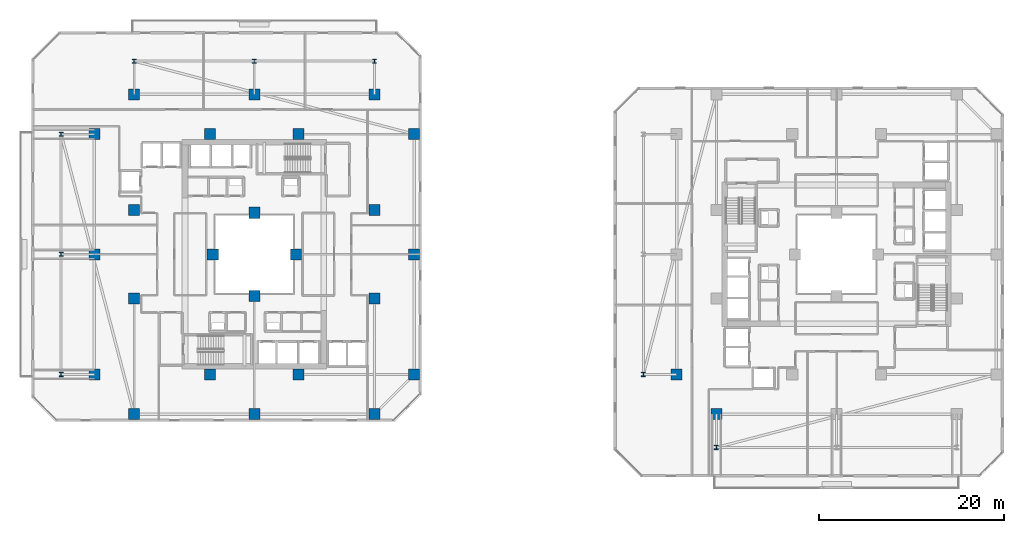
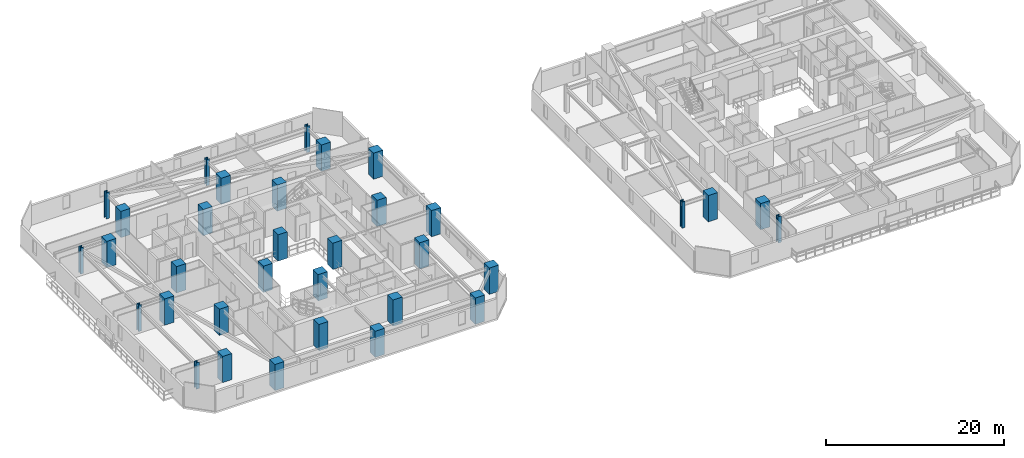
# One storey, part 1 of 33: 34 columns.
"""IFC4 building model written with IfcOpenShell, lengths in metres."""

from ifc_helpers import new_model, si_unit, direction, frame, origin, origin_2d, place, context, subcontext, project, spatial, rectangle, i_section, extrude, material, material_profile, profile_set, type_object, element, save


model = new_model("IFC4")

# Units and contexts
model_context = context("Model", 3, precision=1e-05, world=origin(), true_north=direction((0.0, 1.0)))
body_context = subcontext(model_context, "Body", "Model", "MODEL_VIEW")
ifc_project = project(units=[si_unit("LENGTHUNIT", "METRE"), si_unit("AREAUNIT", "SQUARE_METRE"), si_unit("VOLUMEUNIT", "CUBIC_METRE"), si_unit("PLANEANGLEUNIT", "RADIAN"), si_unit("MASSUNIT", "GRAM", prefix="KILO")], contexts=[model_context])

# Site, building, storey
site_placement = place(None, origin())
site = spatial("IfcSite", under=ifc_project, at=site_placement, CompositionType="ELEMENT")
building_placement = place(site_placement, origin())
building = spatial("IfcBuilding", under=site, at=building_placement, Name="Thornwick Lancets Civic Towers", CompositionType="ELEMENT")
storey_placement = place(building_placement, frame((0.0, 0.0, 112.5)))
storey = spatial("IfcBuildingStorey", under=building, at=storey_placement, Name="L29", CompositionType="ELEMENT", Elevation=112.5)

# Columns
ifc_material_1 = material(Name="Concrete C60/75", Category="concrete")
ifc_material_profile_1 = material_profile(ifc_material_1, rectangle(XDim=1.199951171875, YDim=1.199951171875, at=origin_2d()), Name="RC 1200x1200")
ifc_profile_set_1 = profile_set([ifc_material_profile_1], Name="Concrete C60/75")
column_type_1 = type_object("IfcColumnType", Name="COL_RC_1200", PredefinedType="COLUMN", material=ifc_profile_set_1)
for number, where, z_axis, x_axis, name in (
    (1, (12.5, 9.699951171875, 0.0), (0.0, 0.0, 1.0), (1.0, 0.0, 0.0), "L29 Spine Mega-Column A01"),
    (2, (25.5, 9.699951171875, 0.0), (0.0, 0.0, 1.0), (1.0, 0.0, 0.0), "L29 Spine Mega-Column A02"),
    (3, (38.5, 9.699951171875, 0.0), (0.0, 0.0, 1.0), (1.0, 0.0, 0.0), "L29 Spine Mega-Column A03"),
    (4, (42.800048828125, 14.0, 0.0), (0.0, 0.0, 1.0), (1.0, 0.0, 0.0), "L29 Spine Mega-Column A04"),
    (5, (42.800048828125, 27.0, 0.0), (0.0, 0.0, 1.0), (1.0, 0.0, 0.0), "L29 Spine Mega-Column A05"),
    (6, (42.800048828125, 40.0, 0.0), (0.0, 0.0, 1.0), (1.0, 0.0, 0.0), "L29 Spine Mega-Column A06"),
    (7, (12.5, 44.300048828125, 0.0), (0.0, 0.0, 1.0), (1.0, 0.0, 0.0), "L29 Spine Mega-Column A07"),
    (8, (25.5, 44.300048828125, 0.0), (0.0, 0.0, 1.0), (1.0, 0.0, 0.0), "L29 Spine Mega-Column A08"),
    (9, (38.5, 44.300048828125, 0.0), (0.0, 0.0, 1.0), (1.0, 0.0, 0.0), "L29 Spine Mega-Column A09"),
    (10, (8.199951171875, 14.0, 0.0), (0.0, 0.0, 1.0), (1.0, 0.0, 0.0), "L29 Spine Mega-Column A10"),
    (11, (8.199951171875, 27.0, 0.0), (0.0, 0.0, 1.0), (1.0, 0.0, 0.0), "L29 Spine Mega-Column A11"),
    (12, (8.199951171875, 40.0, 0.0), (0.0, 0.0, 1.0), (1.0, 0.0, 0.0), "L29 Spine Mega-Column A12"),
    (13, (12.5, 22.199951171875, 0.0), (0.0, 0.0, 1.0), (1.0, 0.0, 0.0), "L29 Spine Mega-Column A13"),
    (14, (38.5, 22.199951171875, 0.0), (0.0, 0.0, 1.0), (1.0, 0.0, 0.0), "L29 Spine Mega-Column A14"),
    (15, (12.5, 31.800048828125, 0.0), (0.0, 0.0, 1.0), (1.0, 0.0, 0.0), "L29 Spine Mega-Column A15"),
    (16, (38.5, 31.800048828125, 0.0), (0.0, 0.0, 1.0), (1.0, 0.0, 0.0), "L29 Spine Mega-Column A16"),
    (17, (20.699951171875, 14.0, 0.0), (0.0, 0.0, 1.0), (1.0, 0.0, 0.0), "L29 Spine Mega-Column A17"),
    (18, (30.300048828125, 14.0, 0.0), (0.0, 0.0, 1.0), (1.0, 0.0, 0.0), "L29 Spine Mega-Column A18"),
    (19, (20.699951171875, 40.0, 0.0), (0.0, 0.0, 1.0), (1.0, 0.0, 0.0), "L29 Spine Mega-Column A19"),
    (20, (30.300048828125, 40.0, 0.0), (0.0, 0.0, 1.0), (1.0, 0.0, 0.0), "L29 Spine Mega-Column A20"),
    (21, (25.5, 22.5, 0.0), (0.0, 0.0, 1.0), (1.0, 0.0, 0.0), "L29 Spine Mega-Column A21"),
    (22, (25.5, 31.5, 0.0), (0.0, 0.0, 1.0), (1.0, 0.0, 0.0), "L29 Spine Mega-Column A22"),
    (23, (21.0, 27.0, 0.0), (0.0, 0.0, 1.0), (1.0, 0.0, 0.0), "L29 Spine Mega-Column A23"),
    (24, (30.0, 27.0, 0.0), (0.0, 0.0, 1.0), (1.0, 0.0, 0.0), "L29 Spine Mega-Column A24"),
    (25, (71.199951171875, 14.0, 0.0), (0.0, 0.0, 1.0), (1.0, 0.0, 0.0), "L29 Spine Mega-Column B07"),
    (26, (75.5, 9.699951171875, 0.0), (0.0, 0.0, 1.0), (1.0, 0.0, 0.0), "L29 Spine Mega-Column B12"),
):
    element("IfcColumn", number, at=place(storey_placement, frame(where, z_axis=z_axis, x_axis=x_axis)), inside=storey, type_object=column_type_1, Name=name, PredefinedType="COLUMN", context=body_context, shape_type="SweptSolid", body=[
        extrude(rectangle(XDim=1.199951171875, YDim=1.199951171875, at=origin_2d()), origin(), (0.0, 0.0, 1.0), 3.60009765625),
    ])
ifc_material_2 = material(Name="Steel S460M", Category="steel")
ifc_material_profile_2 = material_profile(ifc_material_2, i_section(OverallWidth=0.41845703125, OverallDepth=0.45556640625, WebThickness=0.0419921875, FlangeThickness=0.0673828125, FilletRadius=0.01513671875, at=origin_2d()), Name="UKC 356x406x551")
ifc_profile_set_2 = profile_set([ifc_material_profile_2], Name="Steel S460M")
column_type_2 = type_object("IfcColumnType", Name="COL_UKC_551", PredefinedType="COLUMN", material=ifc_profile_set_2)
for number, where, z_axis, x_axis, name in (
    (27, (12.5, 47.89990234375, 0.0), (0.0, 0.0, 1.0), (1.0, 0.0, 0.0), "L29 Block Perimeter Column A07"),
    (28, (25.5, 47.89990234375, 0.0), (0.0, 0.0, 1.0), (1.0, 0.0, 0.0), "L29 Block Perimeter Column A08"),
    (29, (38.5, 47.89990234375, 0.0), (0.0, 0.0, 1.0), (1.0, 0.0, 0.0), "L29 Block Perimeter Column A09"),
    (30, (4.60009765625, 14.0, 0.0), (0.0, 0.0, 1.0), (1.0, 0.0, 0.0), "L29 Block Perimeter Column A10"),
    (31, (4.60009765625, 27.0, 0.0), (0.0, 0.0, 1.0), (1.0, 0.0, 0.0), "L29 Block Perimeter Column A11"),
    (32, (4.60009765625, 40.0, 0.0), (0.0, 0.0, 1.0), (1.0, 0.0, 0.0), "L29 Block Perimeter Column A12"),
    (33, (67.60009765625, 14.0, 0.0), (0.0, 0.0, 1.0), (1.0, 0.0, 0.0), "L29 Block Perimeter Column B07"),
    (34, (75.5, 6.10009765625, 0.0), (0.0, 0.0, 1.0), (1.0, 0.0, 0.0), "L29 Block Perimeter Column B12"),
):
    element("IfcColumn", number, at=place(storey_placement, frame(where, z_axis=z_axis, x_axis=x_axis)), inside=storey, type_object=column_type_2, Name=name, PredefinedType="COLUMN", context=body_context, shape_type="SweptSolid", body=[
        extrude(i_section(OverallWidth=0.41845703125, OverallDepth=0.45556640625, WebThickness=0.0419921875, FlangeThickness=0.0673828125, FilletRadius=0.01513671875, at=origin_2d()), origin(), (0.0, 0.0, 1.0), 3.60009765625),
    ])

save(model, "model.ifc")
